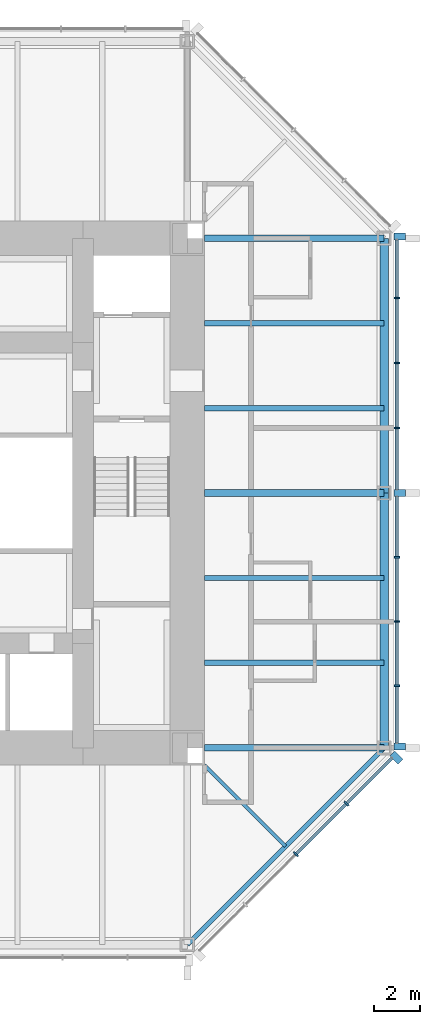
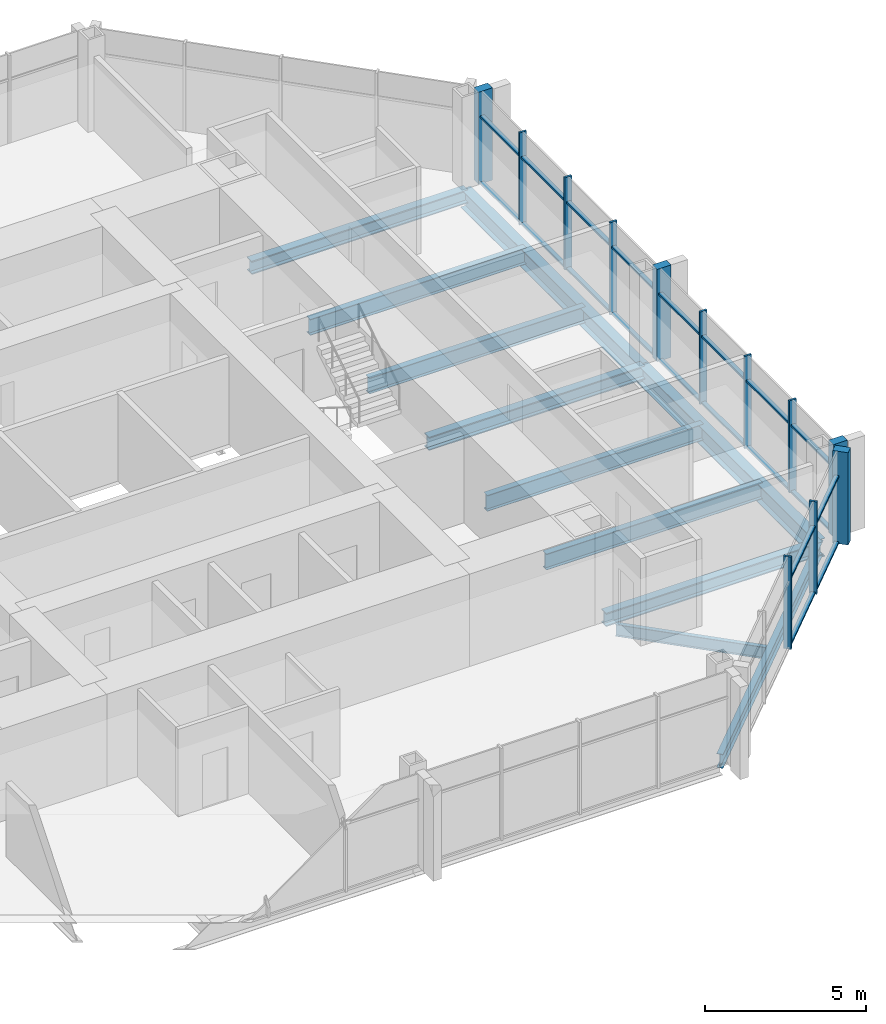
# One storey, part 4 of 11: 32 members, 11 beams, 2 elements without a shape of their own.
"""IFC4 building model written with IfcOpenShell, lengths in metres."""

from ifc_helpers import new_model, si_unit, direction, frame, origin, origin_2d, place, context, subcontext, project, spatial, rectangle, i_section, extrude, material, material_profile, profile_set, type_object, element, aggregate, save


model = new_model("IFC4")

# Units and contexts
model_context = context("Model", 3, precision=1e-05, world=origin(), true_north=direction((0.0, 1.0)))
body_context = subcontext(model_context, "Body", "Model", "MODEL_VIEW")
ifc_project = project(units=[si_unit("LENGTHUNIT", "METRE"), si_unit("AREAUNIT", "SQUARE_METRE"), si_unit("VOLUMEUNIT", "CUBIC_METRE"), si_unit("PLANEANGLEUNIT", "RADIAN"), si_unit("MASSUNIT", "GRAM", prefix="KILO")], contexts=[model_context])

# Site, building, storey
site_placement = place(None, origin())
site = spatial("IfcSite", under=ifc_project, at=site_placement, CompositionType="ELEMENT")
building_placement = place(site_placement, origin())
building = spatial("IfcBuilding", under=site, at=building_placement, Name="Trevanion Tower", CompositionType="ELEMENT")
storey_placement = place(building_placement, frame((0.0, 0.0, 225.699951171875)))
storey = spatial("IfcBuildingStorey", under=building, at=storey_placement, Name="L54", CompositionType="ELEMENT", Elevation=225.699951171875)

# Beams
ifc_material_1 = material(Name="Steel ASTM A992 Grade 50", Category="steel")
ifc_material_profile_1 = material_profile(ifc_material_1, i_section(OverallWidth=0.228271484375, OverallDepth=0.607177734375, WebThickness=0.01123046875, FlangeThickness=0.017333984375, at=origin_2d()), Name="W24X76")
ifc_profile_set_1 = profile_set([ifc_material_profile_1], Name="Steel ASTM A992 Grade 50")
beam_type_1 = type_object("IfcBeamType", Name="B11 W24X76", PredefinedType="BEAM", material=ifc_profile_set_1)
for number, where, z_axis, x_axis, name in (
    (1, (11.75, -7.333251953125, -0.493408203125), (1.0, 0.0, 0.0), (0.0, 1.0, 0.0), "B11 L54"),
    (2, (11.75, -3.666748046875, -0.493408203125), (1.0, 0.0, 0.0), (0.0, 1.0, 0.0), "B11 L54"),
    (3, (11.75, 3.666748046875, -0.493408203125), (1.0, 0.0, 0.0), (0.0, 1.0, 0.0), "B11 L54"),
    (4, (11.75, 7.333251953125, -0.493408203125), (1.0, 0.0, 0.0), (0.0, 1.0, 0.0), "B11 L54"),
):
    element("IfcBeam", number, at=place(storey_placement, frame(where, z_axis=z_axis, x_axis=x_axis)), inside=storey, type_object=beam_type_1, Name=name, PredefinedType="BEAM", context=body_context, shape_type="SweptSolid", body=[
        extrude(i_section(OverallWidth=0.228271484375, OverallDepth=0.607177734375, WebThickness=0.01123046875, FlangeThickness=0.017333984375, at=origin_2d()), origin(), (0.0, 0.0, 1.0), 7.75),
    ])
ifc_material_2 = material(Name="Steel ASTM A992 Grade 50", Category="steel")
ifc_material_profile_2 = material_profile(ifc_material_2, i_section(OverallWidth=0.15234375, OverallDepth=0.449462890625, WebThickness=0.007568359375, FlangeThickness=0.0107421875, at=origin_2d()), Name="W18X35")
ifc_profile_set_2 = profile_set([ifc_material_profile_2], Name="Steel ASTM A992 Grade 50")
beam_type_2 = type_object("IfcBeamType", Name="B12 W18X35", PredefinedType="BEAM", material=ifc_profile_set_2)
beam_1_placement = place(storey_placement, frame((11.75, -11.75, -0.414794921875), z_axis=(0.707106781187, -0.707106781187, 0.0), x_axis=(0.707106781187, 0.707106781187, 0.0)))
element("IfcBeam", 5, at=beam_1_placement, inside=storey, type_object=beam_type_2, Name="B12 L54", PredefinedType="BEAM", context=body_context, shape_type="SweptSolid", body=[
    extrude(i_section(OverallWidth=0.15234375, OverallDepth=0.449462890625, WebThickness=0.007568359375, FlangeThickness=0.0107421875, at=origin_2d()), origin(), (0.0, 0.0, 1.0), 4.94970703125),
])

# Curtain wall, members
ifc_material_3 = material(Name="Aluminium and glass", Category="aluminium")
curtain_wall_type = type_object("IfcCurtainWallType", Name="CW3 curtain wall", PredefinedType="USERDEFINED", material=ifc_material_3)
curtain_wall_1_placement = place(storey_placement, origin())
curtain_wall_1 = element("IfcCurtainWall", 6, at=curtain_wall_1_placement, inside=storey, type_object=curtain_wall_type, Name="CW3 L54 0", ObjectType="UNITISED CURTAIN WALL", PredefinedType="USERDEFINED")
ifc_material_4 = material(Name="Aluminium extrusion, anodised bronze", Category="aluminium")
ifc_material_profile_3 = material_profile(ifc_material_4, rectangle(XDim=0.074951171875, YDim=0.25, at=origin_2d()), Name="CW3 mullion")
ifc_profile_set_3 = profile_set([ifc_material_profile_3], Name="Aluminium extrusion, anodised bronze")
member_type_1 = type_object("IfcMemberType", Name="CW3 mullion", PredefinedType="MULLION", material=ifc_profile_set_3)
member_1_placement = place(storey_placement, frame((20.050048828125, -8.323486328125, -0.18994140625), z_axis=(0.0, 0.0, 1.0), x_axis=(0.0, 1.0, 0.0)))
member_1 = element("IfcMember", 7, at=member_1_placement, type_object=member_type_1, Name="CW3 mullion 2", PredefinedType="MULLION", context=body_context, shape_type="SweptSolid", body=[
    extrude(rectangle(XDim=0.074951171875, YDim=0.25, at=origin_2d()), origin(), (0.0, 0.0, 1.0), 3.5),
])
member_2_placement = place(storey_placement, frame((20.050048828125, -5.548828125, -0.18994140625), z_axis=(0.0, 0.0, 1.0), x_axis=(0.0, 1.0, 0.0)))
member_2 = element("IfcMember", 8, at=member_2_placement, type_object=member_type_1, Name="CW3 mullion 3", PredefinedType="MULLION", context=body_context, shape_type="SweptSolid", body=[
    extrude(rectangle(XDim=0.074951171875, YDim=0.25, at=origin_2d()), origin(), (0.0, 0.0, 1.0), 3.5),
])
member_3_placement = place(storey_placement, frame((20.050048828125, -2.7744140625, -0.18994140625), z_axis=(0.0, 0.0, 1.0), x_axis=(0.0, 1.0, 0.0)))
member_3 = element("IfcMember", 9, at=member_3_placement, type_object=member_type_1, Name="CW3 mullion 4", PredefinedType="MULLION", context=body_context, shape_type="SweptSolid", body=[
    extrude(rectangle(XDim=0.074951171875, YDim=0.25, at=origin_2d()), origin(), (0.0, 0.0, 1.0), 3.5),
])
member_4_placement = place(storey_placement, frame((20.050048828125, 2.806884765625, -0.18994140625), z_axis=(0.0, 0.0, 1.0), x_axis=(0.0, 1.0, 0.0)))
member_4 = element("IfcMember", 10, at=member_4_placement, type_object=member_type_1, Name="CW3 mullion 6", PredefinedType="MULLION", context=body_context, shape_type="SweptSolid", body=[
    extrude(rectangle(XDim=0.074951171875, YDim=0.25, at=origin_2d()), origin(), (0.0, 0.0, 1.0), 3.5),
])
member_5_placement = place(storey_placement, frame((20.050048828125, 5.614013671875, -0.18994140625), z_axis=(0.0, 0.0, 1.0), x_axis=(0.0, 1.0, 0.0)))
member_5 = element("IfcMember", 11, at=member_5_placement, type_object=member_type_1, Name="CW3 mullion 7", PredefinedType="MULLION", context=body_context, shape_type="SweptSolid", body=[
    extrude(rectangle(XDim=0.074951171875, YDim=0.25, at=origin_2d()), origin(), (0.0, 0.0, 1.0), 3.5),
])
member_6_placement = place(storey_placement, frame((20.050048828125, 8.4208984375, -0.18994140625), z_axis=(0.0, 0.0, 1.0), x_axis=(0.0, 1.0, 0.0)))
member_6 = element("IfcMember", 12, at=member_6_placement, type_object=member_type_1, Name="CW3 mullion 8", PredefinedType="MULLION", context=body_context, shape_type="SweptSolid", body=[
    extrude(rectangle(XDim=0.074951171875, YDim=0.25, at=origin_2d()), origin(), (0.0, 0.0, 1.0), 3.5),
])

curtain_wall_2_placement = place(storey_placement, origin())
curtain_wall_2 = element("IfcCurtainWall", 13, at=curtain_wall_2_placement, inside=storey, type_object=curtain_wall_type, Name="CW3 L54 7", ObjectType="UNITISED CURTAIN WALL", PredefinedType="USERDEFINED")
member_7_placement = place(storey_placement, frame((15.684814453125, -15.593017578125, -0.18994140625), z_axis=(0.0, 0.0, 1.0), x_axis=(0.707106781187, 0.707106781187, 0.0)))
member_7 = element("IfcMember", 14, at=member_7_placement, type_object=member_type_1, Name="CW3 mullion 3", PredefinedType="MULLION", context=body_context, shape_type="SweptSolid", body=[
    extrude(rectangle(XDim=0.074951171875, YDim=0.25, at=origin_2d()), origin(), (0.0, 0.0, 1.0), 3.5),
])
member_8_placement = place(storey_placement, frame((17.867431640625, -13.410400390625, -0.18994140625), z_axis=(0.0, 0.0, 1.0), x_axis=(0.707106781187, 0.707106781187, 0.0)))
member_8 = element("IfcMember", 15, at=member_8_placement, type_object=member_type_1, Name="CW3 mullion 4", PredefinedType="MULLION", context=body_context, shape_type="SweptSolid", body=[
    extrude(rectangle(XDim=0.074951171875, YDim=0.25, at=origin_2d()), origin(), (0.0, 0.0, 1.0), 3.5),
])

# Member
ifc_material_5 = material(Name="Aluminium extrusion, anodised bronze", Category="aluminium")
ifc_material_profile_4 = material_profile(ifc_material_5, rectangle(XDim=0.300048828125, YDim=0.5, at=origin_2d()), Name="CW3 pier mullion")
ifc_profile_set_4 = profile_set([ifc_material_profile_4], Name="Aluminium extrusion, anodised bronze")
member_type_2 = type_object("IfcMemberType", Name="CW3 pier mullion", PredefinedType="MULLION", material=ifc_profile_set_4)
member_9_placement = place(storey_placement, frame((20.175048828125, -10.94775390625, -0.18994140625), z_axis=(0.0, 0.0, 1.0), x_axis=(0.0, 1.0, 0.0)))
member_9 = element("IfcMember", 16, at=member_9_placement, type_object=member_type_2, Name="CW3 pier mullion 1", PredefinedType="MULLION", context=body_context, shape_type="SweptSolid", body=[
    extrude(rectangle(XDim=0.300048828125, YDim=0.5, at=origin_2d()), origin(), (0.0, 0.0, 1.0), 3.5),
])

member_10_placement = place(storey_placement, frame((20.175048828125, 0.0, -0.18994140625), z_axis=(0.0, 0.0, 1.0), x_axis=(0.0, 1.0, 0.0)))
member_10 = element("IfcMember", 17, at=member_10_placement, type_object=member_type_2, Name="CW3 pier mullion 5", PredefinedType="MULLION", context=body_context, shape_type="SweptSolid", body=[
    extrude(rectangle(XDim=0.300048828125, YDim=0.5, at=origin_2d()), origin(), (0.0, 0.0, 1.0), 3.5),
])

member_11_placement = place(storey_placement, frame((20.175048828125, 11.077880859375, -0.18994140625), z_axis=(0.0, 0.0, 1.0), x_axis=(0.0, 1.0, 0.0)))
member_11 = element("IfcMember", 18, at=member_11_placement, type_object=member_type_2, Name="CW3 pier mullion 9", PredefinedType="MULLION", context=body_context, shape_type="SweptSolid", body=[
    extrude(rectangle(XDim=0.300048828125, YDim=0.5, at=origin_2d()), origin(), (0.0, 0.0, 1.0), 3.5),
])

member_12_placement = place(storey_placement, frame((20.0322265625, -11.42236328125, -0.18994140625), z_axis=(0.0, 0.0, 1.0), x_axis=(0.707106781187, 0.707106781187, 0.0)))
member_12 = element("IfcMember", 19, at=member_12_placement, type_object=member_type_2, Name="CW3 pier mullion 5", PredefinedType="MULLION", context=body_context, shape_type="SweptSolid", body=[
    extrude(rectangle(XDim=0.300048828125, YDim=0.5, at=origin_2d()), origin(), (0.0, 0.0, 1.0), 3.5),
])

ifc_material_6 = material(Name="Aluminium extrusion, anodised bronze", Category="aluminium")
ifc_material_profile_5 = material_profile(ifc_material_6, rectangle(XDim=0.14990234375, YDim=0.074951171875, at=origin_2d()), Name="CW3 transom")
ifc_profile_set_5 = profile_set([ifc_material_profile_5], Name="Aluminium extrusion, anodised bronze")
member_type_3 = type_object("IfcMemberType", Name="CW3 transom", PredefinedType="USERDEFINED", material=ifc_profile_set_5)
member_13_placement = place(storey_placement, frame((20.050048828125, -10.7978515625, -0.15234375), z_axis=(0.0, 1.0, 0.0), x_axis=(-1.0, 0.0, 0.0)))
member_13 = element("IfcMember", 20, at=member_13_placement, type_object=member_type_3, Name="CW3 transom 1.1", ObjectType="TRANSOM", PredefinedType="USERDEFINED", context=body_context, shape_type="SweptSolid", body=[
    extrude(rectangle(XDim=0.14990234375, YDim=0.074951171875, at=origin_2d()), origin(), (0.0, 0.0, 1.0), 2.43701171875),
])

member_14_placement = place(storey_placement, frame((20.050048828125, -10.7978515625, 2.360107421875), z_axis=(0.0, 1.0, 0.0), x_axis=(-1.0, 0.0, 0.0)))
member_14 = element("IfcMember", 21, at=member_14_placement, type_object=member_type_3, Name="CW3 transom 1.2", ObjectType="TRANSOM", PredefinedType="USERDEFINED", context=body_context, shape_type="SweptSolid", body=[
    extrude(rectangle(XDim=0.14990234375, YDim=0.074951171875, at=origin_2d()), origin(), (0.0, 0.0, 1.0), 2.43701171875),
])

member_15_placement = place(storey_placement, frame((20.050048828125, -8.285888671875, -0.15234375), z_axis=(0.0, 1.0, 0.0), x_axis=(-1.0, 0.0, 0.0)))
member_15 = element("IfcMember", 22, at=member_15_placement, type_object=member_type_3, Name="CW3 transom 2.1", ObjectType="TRANSOM", PredefinedType="USERDEFINED", context=body_context, shape_type="SweptSolid", body=[
    extrude(rectangle(XDim=0.14990234375, YDim=0.074951171875, at=origin_2d()), origin(), (0.0, 0.0, 1.0), 2.699462890625),
])

member_16_placement = place(storey_placement, frame((20.050048828125, -8.285888671875, 2.360107421875), z_axis=(0.0, 1.0, 0.0), x_axis=(-1.0, 0.0, 0.0)))
member_16 = element("IfcMember", 23, at=member_16_placement, type_object=member_type_3, Name="CW3 transom 2.2", ObjectType="TRANSOM", PredefinedType="USERDEFINED", context=body_context, shape_type="SweptSolid", body=[
    extrude(rectangle(XDim=0.14990234375, YDim=0.074951171875, at=origin_2d()), origin(), (0.0, 0.0, 1.0), 2.699462890625),
])

member_17_placement = place(storey_placement, frame((20.050048828125, -5.511474609375, -0.15234375), z_axis=(0.0, 1.0, 0.0), x_axis=(-1.0, 0.0, 0.0)))
member_17 = element("IfcMember", 24, at=member_17_placement, type_object=member_type_3, Name="CW3 transom 3.1", ObjectType="TRANSOM", PredefinedType="USERDEFINED", context=body_context, shape_type="SweptSolid", body=[
    extrude(rectangle(XDim=0.14990234375, YDim=0.074951171875, at=origin_2d()), origin(), (0.0, 0.0, 1.0), 2.699462890625),
])

member_18_placement = place(storey_placement, frame((20.050048828125, -5.511474609375, 2.360107421875), z_axis=(0.0, 1.0, 0.0), x_axis=(-1.0, 0.0, 0.0)))
member_18 = element("IfcMember", 25, at=member_18_placement, type_object=member_type_3, Name="CW3 transom 3.2", ObjectType="TRANSOM", PredefinedType="USERDEFINED", context=body_context, shape_type="SweptSolid", body=[
    extrude(rectangle(XDim=0.14990234375, YDim=0.074951171875, at=origin_2d()), origin(), (0.0, 0.0, 1.0), 2.699462890625),
])

member_19_placement = place(storey_placement, frame((20.050048828125, -2.737060546875, -0.15234375), z_axis=(0.0, 1.0, 0.0), x_axis=(-1.0, 0.0, 0.0)))
member_19 = element("IfcMember", 26, at=member_19_placement, type_object=member_type_3, Name="CW3 transom 4.1", ObjectType="TRANSOM", PredefinedType="USERDEFINED", context=body_context, shape_type="SweptSolid", body=[
    extrude(rectangle(XDim=0.14990234375, YDim=0.074951171875, at=origin_2d()), origin(), (0.0, 0.0, 1.0), 2.587158203125),
])

member_20_placement = place(storey_placement, frame((20.050048828125, -2.737060546875, 2.360107421875), z_axis=(0.0, 1.0, 0.0), x_axis=(-1.0, 0.0, 0.0)))
member_20 = element("IfcMember", 27, at=member_20_placement, type_object=member_type_3, Name="CW3 transom 4.2", ObjectType="TRANSOM", PredefinedType="USERDEFINED", context=body_context, shape_type="SweptSolid", body=[
    extrude(rectangle(XDim=0.14990234375, YDim=0.074951171875, at=origin_2d()), origin(), (0.0, 0.0, 1.0), 2.587158203125),
])

member_21_placement = place(storey_placement, frame((20.050048828125, 0.14990234375, -0.15234375), z_axis=(0.0, 1.0, 0.0), x_axis=(-1.0, 0.0, 0.0)))
member_21 = element("IfcMember", 28, at=member_21_placement, type_object=member_type_3, Name="CW3 transom 5.1", ObjectType="TRANSOM", PredefinedType="USERDEFINED", context=body_context, shape_type="SweptSolid", body=[
    extrude(rectangle(XDim=0.14990234375, YDim=0.074951171875, at=origin_2d()), origin(), (0.0, 0.0, 1.0), 2.619384765625),
])

member_22_placement = place(storey_placement, frame((20.050048828125, 0.14990234375, 2.360107421875), z_axis=(0.0, 1.0, 0.0), x_axis=(-1.0, 0.0, 0.0)))
member_22 = element("IfcMember", 29, at=member_22_placement, type_object=member_type_3, Name="CW3 transom 5.2", ObjectType="TRANSOM", PredefinedType="USERDEFINED", context=body_context, shape_type="SweptSolid", body=[
    extrude(rectangle(XDim=0.14990234375, YDim=0.074951171875, at=origin_2d()), origin(), (0.0, 0.0, 1.0), 2.619384765625),
])

member_23_placement = place(storey_placement, frame((20.050048828125, 2.844482421875, -0.15234375), z_axis=(0.0, 1.0, 0.0), x_axis=(-1.0, 0.0, 0.0)))
member_23 = element("IfcMember", 30, at=member_23_placement, type_object=member_type_3, Name="CW3 transom 6.1", ObjectType="TRANSOM", PredefinedType="USERDEFINED", context=body_context, shape_type="SweptSolid", body=[
    extrude(rectangle(XDim=0.14990234375, YDim=0.074951171875, at=origin_2d()), origin(), (0.0, 0.0, 1.0), 2.73193359375),
])

member_24_placement = place(storey_placement, frame((20.050048828125, 2.844482421875, 2.360107421875), z_axis=(0.0, 1.0, 0.0), x_axis=(-1.0, 0.0, 0.0)))
member_24 = element("IfcMember", 31, at=member_24_placement, type_object=member_type_3, Name="CW3 transom 6.2", ObjectType="TRANSOM", PredefinedType="USERDEFINED", context=body_context, shape_type="SweptSolid", body=[
    extrude(rectangle(XDim=0.14990234375, YDim=0.074951171875, at=origin_2d()), origin(), (0.0, 0.0, 1.0), 2.73193359375),
])

member_25_placement = place(storey_placement, frame((20.050048828125, 5.6513671875, -0.15234375), z_axis=(0.0, 1.0, 0.0), x_axis=(-1.0, 0.0, 0.0)))
member_25 = element("IfcMember", 32, at=member_25_placement, type_object=member_type_3, Name="CW3 transom 7.1", ObjectType="TRANSOM", PredefinedType="USERDEFINED", context=body_context, shape_type="SweptSolid", body=[
    extrude(rectangle(XDim=0.14990234375, YDim=0.074951171875, at=origin_2d()), origin(), (0.0, 0.0, 1.0), 2.73193359375),
])

member_26_placement = place(storey_placement, frame((20.050048828125, 5.6513671875, 2.360107421875), z_axis=(0.0, 1.0, 0.0), x_axis=(-1.0, 0.0, 0.0)))
member_26 = element("IfcMember", 33, at=member_26_placement, type_object=member_type_3, Name="CW3 transom 7.2", ObjectType="TRANSOM", PredefinedType="USERDEFINED", context=body_context, shape_type="SweptSolid", body=[
    extrude(rectangle(XDim=0.14990234375, YDim=0.074951171875, at=origin_2d()), origin(), (0.0, 0.0, 1.0), 2.73193359375),
])

member_27_placement = place(storey_placement, frame((20.050048828125, 8.45849609375, -0.15234375), z_axis=(0.0, 1.0, 0.0), x_axis=(-1.0, 0.0, 0.0)))
member_27 = element("IfcMember", 34, at=member_27_placement, type_object=member_type_3, Name="CW3 transom 8.1", ObjectType="TRANSOM", PredefinedType="USERDEFINED", context=body_context, shape_type="SweptSolid", body=[
    extrude(rectangle(XDim=0.14990234375, YDim=0.074951171875, at=origin_2d()), origin(), (0.0, 0.0, 1.0), 2.46923828125),
])

member_28_placement = place(storey_placement, frame((20.050048828125, 8.45849609375, 2.360107421875), z_axis=(0.0, 1.0, 0.0), x_axis=(-1.0, 0.0, 0.0)))
member_28 = element("IfcMember", 35, at=member_28_placement, type_object=member_type_3, Name="CW3 transom 8.2", ObjectType="TRANSOM", PredefinedType="USERDEFINED", context=body_context, shape_type="SweptSolid", body=[
    extrude(rectangle(XDim=0.14990234375, YDim=0.074951171875, at=origin_2d()), origin(), (0.0, 0.0, 1.0), 2.46923828125),
])

aggregate(curtain_wall_1, [member_9, member_1, member_2, member_3, member_10, member_4, member_5, member_6, member_11, member_13, member_14, member_15, member_16, member_17, member_18, member_19, member_20, member_21, member_22, member_23, member_24, member_25, member_26, member_27, member_28])

member_29_placement = place(storey_placement, frame((15.71142578125, -15.56640625, -0.15234375), z_axis=(0.707106781187, 0.707106781187, 0.0), x_axis=(-0.707106781187, 0.707106781187, 0.0)))
member_29 = element("IfcMember", 36, at=member_29_placement, type_object=member_type_3, Name="CW3 transom 3.1", ObjectType="TRANSOM", PredefinedType="USERDEFINED", context=body_context, shape_type="SweptSolid", body=[
    extrude(rectangle(XDim=0.14990234375, YDim=0.074951171875, at=origin_2d()), origin(), (0.0, 0.0, 1.0), 3.011474609375),
])

member_30_placement = place(storey_placement, frame((15.71142578125, -15.56640625, 2.360107421875), z_axis=(0.707106781187, 0.707106781187, 0.0), x_axis=(-0.707106781187, 0.707106781187, 0.0)))
member_30 = element("IfcMember", 37, at=member_30_placement, type_object=member_type_3, Name="CW3 transom 3.2", ObjectType="TRANSOM", PredefinedType="USERDEFINED", context=body_context, shape_type="SweptSolid", body=[
    extrude(rectangle(XDim=0.14990234375, YDim=0.074951171875, at=origin_2d()), origin(), (0.0, 0.0, 1.0), 3.011474609375),
])

member_31_placement = place(storey_placement, frame((17.89404296875, -13.3837890625, -0.15234375), z_axis=(0.707106781187, 0.707106781187, 0.0), x_axis=(-0.707106781187, 0.707106781187, 0.0)))
member_31 = element("IfcMember", 38, at=member_31_placement, type_object=member_type_3, Name="CW3 transom 4.1", ObjectType="TRANSOM", PredefinedType="USERDEFINED", context=body_context, shape_type="SweptSolid", body=[
    extrude(rectangle(XDim=0.14990234375, YDim=0.074951171875, at=origin_2d()), origin(), (0.0, 0.0, 1.0), 2.7490234375),
])

member_32_placement = place(storey_placement, frame((17.89404296875, -13.3837890625, 2.360107421875), z_axis=(0.707106781187, 0.707106781187, 0.0), x_axis=(-0.707106781187, 0.707106781187, 0.0)))
member_32 = element("IfcMember", 39, at=member_32_placement, type_object=member_type_3, Name="CW3 transom 4.2", ObjectType="TRANSOM", PredefinedType="USERDEFINED", context=body_context, shape_type="SweptSolid", body=[
    extrude(rectangle(XDim=0.14990234375, YDim=0.074951171875, at=origin_2d()), origin(), (0.0, 0.0, 1.0), 2.7490234375),
])

aggregate(curtain_wall_2, [member_7, member_8, member_12, member_29, member_30, member_31, member_32])

# Beams
ifc_material_7 = material(Name="Steel ASTM A992 Grade 50", Category="steel")
ifc_material_profile_6 = material_profile(ifc_material_7, i_section(OverallWidth=0.28955078125, OverallDepth=0.508056640625, WebThickness=0.022705078125, FlangeThickness=0.040283203125, at=origin_2d()), Name="W18X175")
ifc_profile_set_6 = profile_set([ifc_material_profile_6], Name="Steel ASTM A992 Grade 50")
beam_type_3 = type_object("IfcBeamType", Name="G6 W18X175", PredefinedType="BEAM", material=ifc_profile_set_6)
for number, where, z_axis, x_axis, name in (
    (40, (11.75, -11.0, -0.44384765625), (1.0, 0.0, 0.0), (0.0, 1.0, 0.0), "G6 L54"),
    (41, (11.75, 0.0, -0.44384765625), (1.0, 0.0, 0.0), (0.0, 1.0, 0.0), "G6 L54"),
    (42, (11.75, 11.0, -0.44384765625), (1.0, 0.0, 0.0), (0.0, 1.0, 0.0), "G6 L54"),
):
    element("IfcBeam", number, at=place(storey_placement, frame(where, z_axis=z_axis, x_axis=x_axis)), inside=storey, type_object=beam_type_3, Name=name, PredefinedType="BEAM", context=body_context, shape_type="SweptSolid", body=[
        extrude(i_section(OverallWidth=0.28955078125, OverallDepth=0.508056640625, WebThickness=0.022705078125, FlangeThickness=0.040283203125, at=origin_2d()), origin(), (0.0, 0.0, 1.0), 7.75),
    ])
ifc_material_8 = material(Name="Steel ASTM A992 Grade 50", Category="steel")
ifc_material_profile_7 = material_profile(ifc_material_8, i_section(OverallWidth=0.355712890625, OverallDepth=0.696044921875, WebThickness=0.015380859375, FlangeThickness=0.024658203125, at=origin_2d()), Name="W27X146")
ifc_profile_set_7 = profile_set([ifc_material_profile_7], Name="Steel ASTM A992 Grade 50")
beam_type_4 = type_object("IfcBeamType", Name="SB8 W27X146", PredefinedType="SPANDREL", material=ifc_profile_set_7)
for number, where, z_axis, x_axis, name in (
    (43, (19.5, -11.0, -0.537841796875), (0.0, 1.0, 0.0), (-1.0, 0.0, 0.0), "SB8 L54"),
    (44, (19.5, 0.0, -0.537841796875), (0.0, 1.0, 0.0), (-1.0, 0.0, 0.0), "SB8 L54"),
):
    element("IfcBeam", number, at=place(storey_placement, frame(where, z_axis=z_axis, x_axis=x_axis)), inside=storey, type_object=beam_type_4, Name=name, PredefinedType="SPANDREL", context=body_context, shape_type="SweptSolid", body=[
        extrude(i_section(OverallWidth=0.355712890625, OverallDepth=0.696044921875, WebThickness=0.015380859375, FlangeThickness=0.024658203125, at=origin_2d()), origin(), (0.0, 0.0, 1.0), 11.0),
    ])
ifc_material_9 = material(Name="Steel ASTM A992 Grade 50", Category="steel")
ifc_material_profile_8 = material_profile(ifc_material_9, i_section(OverallWidth=0.209228515625, OverallDepth=0.533447265625, WebThickness=0.01025390625, FlangeThickness=0.015625, at=origin_2d()), Name="W21X62")
ifc_profile_set_8 = profile_set([ifc_material_profile_8], Name="Steel ASTM A992 Grade 50")
beam_type_5 = type_object("IfcBeamType", Name="SB9 W21X62", PredefinedType="SPANDREL", material=ifc_profile_set_8)
beam_2_placement = place(storey_placement, frame((11.0, -19.5, -0.45654296875), z_axis=(0.707106781187, 0.707106781187, 0.0), x_axis=(-0.707106781187, 0.707106781187, 0.0)))
element("IfcBeam", 45, at=beam_2_placement, inside=storey, type_object=beam_type_5, Name="SB9 L54", PredefinedType="SPANDREL", context=body_context, shape_type="SweptSolid", body=[
    extrude(i_section(OverallWidth=0.209228515625, OverallDepth=0.533447265625, WebThickness=0.01025390625, FlangeThickness=0.015625, at=origin_2d()), origin(), (0.0, 0.0, 1.0), 12.020751953125),
])

save(model, "model.ifc")
